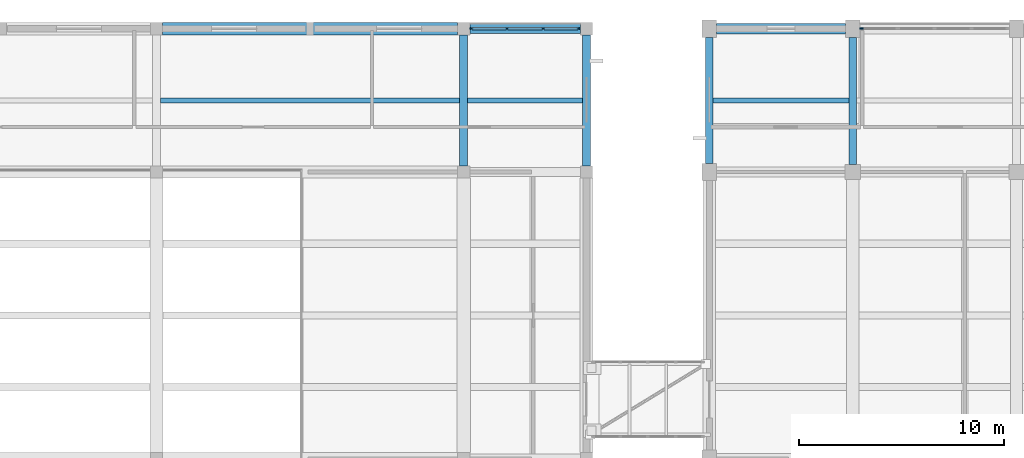
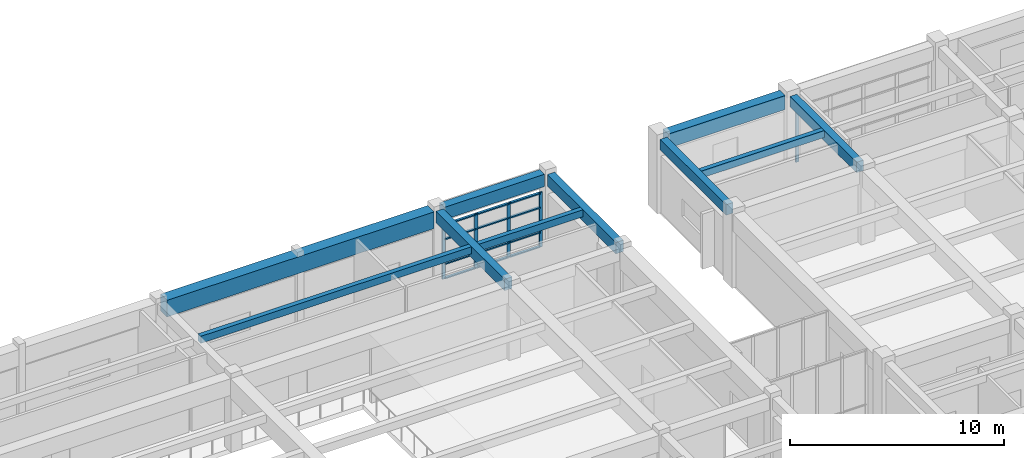
# One storey, part 30 of 72: 17 members, 10 beams, 2 elements without a shape of their own.
"""IFC4 building model written with IfcOpenShell, lengths in metres."""

from ifc_helpers import new_model, si_unit, direction, frame, origin, origin_2d, place, context, subcontext, project, spatial, rectangle, extrude, material, layer, layer_set, material_profile, profile_set, type_object, element, aggregate, save


model = new_model("IFC4")

# Units and contexts
model_context = context("Model", 3, precision=1e-05, world=origin(), true_north=direction((0.0, 1.0)))
body_context = subcontext(model_context, "Body", "Model", "MODEL_VIEW")
ifc_project = project(units=[si_unit("LENGTHUNIT", "METRE"), si_unit("AREAUNIT", "SQUARE_METRE"), si_unit("VOLUMEUNIT", "CUBIC_METRE"), si_unit("PLANEANGLEUNIT", "RADIAN"), si_unit("MASSUNIT", "GRAM", prefix="KILO")], contexts=[model_context])

# Site, building, storey
site_placement = place(None, origin())
site = spatial("IfcSite", under=ifc_project, at=site_placement, CompositionType="ELEMENT")
building_placement = place(site_placement, origin())
building = spatial("IfcBuilding", under=site, at=building_placement, Name="Naurynzar Civic Courthouse", CompositionType="ELEMENT")
storey_placement = place(building_placement, frame((0.0, 0.0, 9.89990234375)))
storey = spatial("IfcBuildingStorey", under=building, at=storey_placement, Name="L03", CompositionType="ELEMENT", Elevation=9.89990234375)

# Beams
ifc_material_1 = material(Name="Concrete C40/50", Category="concrete")
ifc_material_profile_1 = material_profile(ifc_material_1, rectangle(XDim=0.25, YDim=0.39990234375, at=origin_2d()), Name="RCB 250x400")
ifc_profile_set_1 = profile_set([ifc_material_profile_1], Name="Concrete C40/50")
beam_type_1 = type_object("IfcBeamType", Name="BM-JST-250x400", PredefinedType="JOIST", material=ifc_profile_set_1)
beam_1_placement = place(storey_placement, frame((35.199951171875, 68.5, 4.030029296875), z_axis=(1.0, 0.0, 0.0), x_axis=(0.0, 1.0, 0.0)))
element("IfcBeam", 1, at=beam_1_placement, inside=storey, type_object=beam_type_1, Name="V1 secondary rib 220 L03", PredefinedType="JOIST", context=body_context, shape_type="SweptSolid", body=[
    extrude(rectangle(XDim=0.25, YDim=0.39990234375, at=origin_2d()), origin(), (0.0, 0.0, 1.0), 14.60009765625),
])
beam_2_placement = place(storey_placement, frame((50.199951171875, 68.5, 4.030029296875), z_axis=(1.0, 0.0, 0.0), x_axis=(0.0, 1.0, 0.0)))
element("IfcBeam", 2, at=beam_2_placement, inside=storey, type_object=beam_type_1, Name="V1 secondary rib 221 L03", PredefinedType="JOIST", context=body_context, shape_type="SweptSolid", body=[
    extrude(rectangle(XDim=0.25, YDim=0.39990234375, at=origin_2d()), origin(), (0.0, 0.0, 1.0), 5.60009765625),
])
beam_3_placement = place(storey_placement, frame((62.1875, 68.5, 4.0), z_axis=(1.0, 0.0, 0.0), x_axis=(0.0, 1.0, 0.0)))
element("IfcBeam", 3, at=beam_3_placement, inside=storey, type_object=beam_type_1, Name="V2 secondary rib 648 L03", PredefinedType="JOIST", context=body_context, shape_type="SweptSolid", body=[
    extrude(rectangle(XDim=0.25, YDim=0.39990234375, at=origin_2d()), origin(), (0.0, 0.0, 1.0), 6.625),
])
ifc_material_2 = material(Name="Concrete C40/50", Category="concrete")
ifc_material_profile_2 = material_profile(ifc_material_2, rectangle(XDim=0.60009765625, YDim=0.949951171875, at=origin_2d()), Name="PTB 600x950")
ifc_profile_set_2 = profile_set([ifc_material_profile_2], Name="Concrete C40/50")
beam_type_2 = type_object("IfcBeamType", Name="BM-PT-600x950", PredefinedType="T_BEAM", material=ifc_profile_set_2)
beam_4_placement = place(storey_placement, frame((35.300048828125, 72.0, 3.755126953125), z_axis=(1.0, 0.0, 0.0), x_axis=(0.0, 1.0, 0.0)))
element("IfcBeam", 4, at=beam_4_placement, inside=storey, type_object=beam_type_2, Name="V1 beam X-183 L03", PredefinedType="T_BEAM", context=body_context, shape_type="SweptSolid", body=[
    extrude(rectangle(XDim=0.60009765625, YDim=0.949951171875, at=origin_2d()), origin(), (0.0, 0.0, 1.0), 14.39990234375),
])
ifc_material_3 = material(Name="Concrete C40/50", Category="concrete")
ifc_material_profile_3 = material_profile(ifc_material_3, rectangle(XDim=0.375, YDim=0.60009765625, at=origin_2d()), Name="RCB 375x600")
ifc_profile_set_3 = profile_set([ifc_material_profile_3], Name="Concrete C40/50")
beam_type_3 = type_object("IfcBeamType", Name="BM-RC-375x600", PredefinedType="BEAM", material=ifc_profile_set_3)
beam_5_placement = place(storey_placement, frame((62.0, 65.425048828125, 3.900146484375), z_axis=(0.0, 1.0, 0.0), x_axis=(-1.0, 0.0, 0.0)))
element("IfcBeam", 5, at=beam_5_placement, inside=storey, type_object=beam_type_3, Name="V2 girder Y-595 L03", PredefinedType="BEAM", context=body_context, shape_type="SweptSolid", body=[
    extrude(rectangle(XDim=0.375, YDim=0.60009765625, at=origin_2d()), origin(), (0.0, 0.0, 1.0), 6.14990234375),
])
beam_6_placement = place(storey_placement, frame((69.0, 65.375, 3.900146484375), z_axis=(0.0, 1.0, 0.0), x_axis=(-1.0, 0.0, 0.0)))
element("IfcBeam", 6, at=beam_6_placement, inside=storey, type_object=beam_type_3, Name="V2 girder Y-598 L03", PredefinedType="BEAM", context=body_context, shape_type="SweptSolid", body=[
    extrude(rectangle(XDim=0.375, YDim=0.60009765625, at=origin_2d()), origin(), (0.0, 0.0, 1.0), 6.199951171875),
])
ifc_material_4 = material(Name="Concrete C40/50", Category="concrete")
ifc_material_profile_4 = material_profile(ifc_material_4, rectangle(XDim=0.39990234375, YDim=0.64990234375, at=origin_2d()), Name="RCB 400x650")
ifc_profile_set_4 = profile_set([ifc_material_profile_4], Name="Concrete C40/50")
beam_type_4 = type_object("IfcBeamType", Name="BM-RC-400x650", PredefinedType="BEAM", material=ifc_profile_set_4)
for number, where, z_axis, x_axis, name in (
    (7, (50.0, 65.300048828125, 3.905029296875), (0.0, 1.0, 0.0), (-1.0, 0.0, 0.0), "V1 girder Y-199 L03"),
    (8, (56.0, 65.300048828125, 3.905029296875), (0.0, 1.0, 0.0), (-1.0, 0.0, 0.0), "V1 girder Y-202 L03"),
):
    element("IfcBeam", number, at=place(storey_placement, frame(where, z_axis=z_axis, x_axis=x_axis)), inside=storey, type_object=beam_type_4, Name=name, PredefinedType="BEAM", context=body_context, shape_type="SweptSolid", body=[
        extrude(rectangle(XDim=0.39990234375, YDim=0.64990234375, at=origin_2d()), origin(), (0.0, 0.0, 1.0), 6.39990234375),
    ])
ifc_material_5 = material(Name="Concrete C40/50", Category="concrete")
ifc_material_profile_5 = material_profile(ifc_material_5, rectangle(XDim=0.449951171875, YDim=0.699951171875, at=origin_2d()), Name="RCB 450x700")
ifc_profile_set_5 = profile_set([ifc_material_profile_5], Name="Concrete C40/50")
beam_type_5 = type_object("IfcBeamType", Name="BM-RC-450x700", PredefinedType="BEAM", material=ifc_profile_set_5)
beam_7_placement = place(storey_placement, frame((50.300048828125, 72.0, 3.880126953125), z_axis=(1.0, 0.0, 0.0), x_axis=(0.0, 1.0, 0.0)))
element("IfcBeam", 9, at=beam_7_placement, inside=storey, type_object=beam_type_5, Name="V1 beam X-184 L03", PredefinedType="BEAM", context=body_context, shape_type="SweptSolid", body=[
    extrude(rectangle(XDim=0.449951171875, YDim=0.699951171875, at=origin_2d()), origin(), (0.0, 0.0, 1.0), 5.39990234375),
])
ifc_material_6 = material(Name="Concrete C40/50", Category="concrete")
ifc_material_profile_6 = material_profile(ifc_material_6, rectangle(XDim=0.5, YDim=0.800048828125, at=origin_2d()), Name="RCB 500x800")
ifc_profile_set_6 = profile_set([ifc_material_profile_6], Name="Concrete C40/50")
beam_type_6 = type_object("IfcBeamType", Name="BM-RC-500x800", PredefinedType="BEAM", material=ifc_profile_set_6)
beam_8_placement = place(storey_placement, frame((62.35009765625, 72.0, 3.800048828125), z_axis=(1.0, 0.0, 0.0), x_axis=(0.0, 1.0, 0.0)))
element("IfcBeam", 10, at=beam_8_placement, inside=storey, type_object=beam_type_6, Name="V2 beam X-585 L03", PredefinedType="BEAM", context=body_context, shape_type="SweptSolid", body=[
    extrude(rectangle(XDim=0.5, YDim=0.800048828125, at=origin_2d()), origin(), (0.0, 0.0, 1.0), 6.2998046875),
])

# Curtain wall, members
ifc_material_7 = material(Name="Aluminium 6063-T6", Category="aluminium")
ifc_layer = layer(ifc_material_7, 0.159912109375)
ifc_layer_set = layer_set([ifc_layer], Name="CW-UNIT-1800")
curtain_wall_type = type_object("IfcCurtainWallType", Name="CW-UNIT-1800", PredefinedType="NOTDEFINED", material=ifc_layer_set)
curtain_wall_1_placement = place(storey_placement, origin())
curtain_wall_1 = element("IfcCurtainWall", 11, at=curtain_wall_1_placement, inside=storey, type_object=curtain_wall_type, Name="V1 unitised curtain wall 10 L03", PredefinedType="NOTDEFINED")
ifc_material_8 = material(Name="Aluminium 6063-T6", Category="aluminium")
ifc_material_profile_7 = material_profile(ifc_material_8, rectangle(XDim=0.070068359375, YDim=0.179931640625, at=origin_2d()), Name="ALU MULLION 70x180")
ifc_profile_set_7 = profile_set([ifc_material_profile_7], Name="Aluminium 6063-T6")
member_type_1 = type_object("IfcMemberType", Name="CWM-70x180", PredefinedType="MULLION", material=ifc_profile_set_7)
member_1_placement = place(storey_placement, frame((50.385009765625, 72.0, 0.0), z_axis=(0.0, 0.0, 1.0), x_axis=(0.0, 1.0, 0.0)))
member_1 = element("IfcMember", 12, at=member_1_placement, type_object=member_type_1, Name="CW-02 mullion 1", PredefinedType="MULLION", context=body_context, shape_type="SweptSolid", body=[
    extrude(rectangle(XDim=0.070068359375, YDim=0.179931640625, at=origin_2d()), origin(), (0.0, 0.0, 1.0), 3.110107421875),
])
member_2_placement = place(storey_placement, frame((52.11669921875, 72.0, 0.0), z_axis=(0.0, 0.0, 1.0), x_axis=(0.0, 1.0, 0.0)))
member_2 = element("IfcMember", 13, at=member_2_placement, type_object=member_type_1, Name="CW-02 mullion 2", PredefinedType="MULLION", context=body_context, shape_type="SweptSolid", body=[
    extrude(rectangle(XDim=0.070068359375, YDim=0.179931640625, at=origin_2d()), origin(), (0.0, 0.0, 1.0), 3.110107421875),
])
member_3_placement = place(storey_placement, frame((53.88330078125, 72.0, 0.0), z_axis=(0.0, 0.0, 1.0), x_axis=(0.0, 1.0, 0.0)))
member_3 = element("IfcMember", 14, at=member_3_placement, type_object=member_type_1, Name="CW-02 mullion 3", PredefinedType="MULLION", context=body_context, shape_type="SweptSolid", body=[
    extrude(rectangle(XDim=0.070068359375, YDim=0.179931640625, at=origin_2d()), origin(), (0.0, 0.0, 1.0), 3.110107421875),
])
member_4_placement = place(storey_placement, frame((55.614990234375, 72.0, 0.0), z_axis=(0.0, 0.0, 1.0), x_axis=(0.0, 1.0, 0.0)))
member_4 = element("IfcMember", 15, at=member_4_placement, type_object=member_type_1, Name="CW-02 mullion 4", PredefinedType="MULLION", context=body_context, shape_type="SweptSolid", body=[
    extrude(rectangle(XDim=0.070068359375, YDim=0.179931640625, at=origin_2d()), origin(), (0.0, 0.0, 1.0), 3.110107421875),
])

# Curtain wall, member
curtain_wall_2_placement = place(storey_placement, origin())
curtain_wall_2 = element("IfcCurtainWall", 16, at=curtain_wall_2_placement, inside=storey, type_object=curtain_wall_type, Name="V2 unitised curtain wall 24 L03", PredefinedType="NOTDEFINED")
member_5_placement = place(storey_placement, frame((69.43505859375, 72.0, 0.0), z_axis=(0.0, 0.0, 1.0), x_axis=(0.0, 1.0, 0.0)))
member_5 = element("IfcMember", 17, at=member_5_placement, type_object=member_type_1, Name="CW-02 mullion 1", PredefinedType="MULLION", context=body_context, shape_type="SweptSolid", body=[
    extrude(rectangle(XDim=0.070068359375, YDim=0.179931640625, at=origin_2d()), origin(), (0.0, 0.0, 1.0), 3.22998046875),
])
aggregate(curtain_wall_2, [member_5])

# Member
ifc_material_9 = material(Name="Aluminium 6063-T6", Category="aluminium")
ifc_material_profile_8 = material_profile(ifc_material_9, rectangle(XDim=0.1298828125, YDim=0.070068359375, at=origin_2d()), Name="ALU TRANSOM 70x130")
ifc_profile_set_8 = profile_set([ifc_material_profile_8], Name="Aluminium 6063-T6")
member_type_2 = type_object("IfcMemberType", Name="CWT-70x130", PredefinedType="USERDEFINED", material=ifc_profile_set_8)
member_6_placement = place(storey_placement, frame((50.419921875, 72.0, 0.03515625), z_axis=(1.0, 0.0, 0.0), x_axis=(0.0, 1.0, 0.0)))
member_6 = element("IfcMember", 18, at=member_6_placement, type_object=member_type_2, Name="CW-02 transom 1.1", ObjectType="TRANSOM", PredefinedType="USERDEFINED", context=body_context, shape_type="SweptSolid", body=[
    extrude(rectangle(XDim=0.1298828125, YDim=0.070068359375, at=origin_2d()), origin(), (0.0, 0.0, 1.0), 1.661865234375),
])

member_7_placement = place(storey_placement, frame((50.419921875, 72.0, 0.85009765625), z_axis=(1.0, 0.0, 0.0), x_axis=(0.0, 1.0, 0.0)))
member_7 = element("IfcMember", 19, at=member_7_placement, type_object=member_type_2, Name="CW-02 transom 1.2", ObjectType="TRANSOM", PredefinedType="USERDEFINED", context=body_context, shape_type="SweptSolid", body=[
    extrude(rectangle(XDim=0.1298828125, YDim=0.070068359375, at=origin_2d()), origin(), (0.0, 0.0, 1.0), 1.661865234375),
])

member_8_placement = place(storey_placement, frame((50.419921875, 72.0, 2.260009765625), z_axis=(1.0, 0.0, 0.0), x_axis=(0.0, 1.0, 0.0)))
member_8 = element("IfcMember", 20, at=member_8_placement, type_object=member_type_2, Name="CW-02 transom 1.3", ObjectType="TRANSOM", PredefinedType="USERDEFINED", context=body_context, shape_type="SweptSolid", body=[
    extrude(rectangle(XDim=0.1298828125, YDim=0.070068359375, at=origin_2d()), origin(), (0.0, 0.0, 1.0), 1.661865234375),
])

member_9_placement = place(storey_placement, frame((50.419921875, 72.0, 3.0751953125), z_axis=(1.0, 0.0, 0.0), x_axis=(0.0, 1.0, 0.0)))
member_9 = element("IfcMember", 21, at=member_9_placement, type_object=member_type_2, Name="CW-02 transom 1.4", ObjectType="TRANSOM", PredefinedType="USERDEFINED", context=body_context, shape_type="SweptSolid", body=[
    extrude(rectangle(XDim=0.1298828125, YDim=0.070068359375, at=origin_2d()), origin(), (0.0, 0.0, 1.0), 1.661865234375),
])

member_10_placement = place(storey_placement, frame((52.151611328125, 72.0, 0.03515625), z_axis=(1.0, 0.0, 0.0), x_axis=(0.0, 1.0, 0.0)))
member_10 = element("IfcMember", 22, at=member_10_placement, type_object=member_type_2, Name="CW-02 transom 2.1", ObjectType="TRANSOM", PredefinedType="USERDEFINED", context=body_context, shape_type="SweptSolid", body=[
    extrude(rectangle(XDim=0.1298828125, YDim=0.070068359375, at=origin_2d()), origin(), (0.0, 0.0, 1.0), 1.69677734375),
])

member_11_placement = place(storey_placement, frame((52.151611328125, 72.0, 0.85009765625), z_axis=(1.0, 0.0, 0.0), x_axis=(0.0, 1.0, 0.0)))
member_11 = element("IfcMember", 23, at=member_11_placement, type_object=member_type_2, Name="CW-02 transom 2.2", ObjectType="TRANSOM", PredefinedType="USERDEFINED", context=body_context, shape_type="SweptSolid", body=[
    extrude(rectangle(XDim=0.1298828125, YDim=0.070068359375, at=origin_2d()), origin(), (0.0, 0.0, 1.0), 1.69677734375),
])

member_12_placement = place(storey_placement, frame((52.151611328125, 72.0, 2.260009765625), z_axis=(1.0, 0.0, 0.0), x_axis=(0.0, 1.0, 0.0)))
member_12 = element("IfcMember", 24, at=member_12_placement, type_object=member_type_2, Name="CW-02 transom 2.3", ObjectType="TRANSOM", PredefinedType="USERDEFINED", context=body_context, shape_type="SweptSolid", body=[
    extrude(rectangle(XDim=0.1298828125, YDim=0.070068359375, at=origin_2d()), origin(), (0.0, 0.0, 1.0), 1.69677734375),
])

member_13_placement = place(storey_placement, frame((52.151611328125, 72.0, 3.0751953125), z_axis=(1.0, 0.0, 0.0), x_axis=(0.0, 1.0, 0.0)))
member_13 = element("IfcMember", 25, at=member_13_placement, type_object=member_type_2, Name="CW-02 transom 2.4", ObjectType="TRANSOM", PredefinedType="USERDEFINED", context=body_context, shape_type="SweptSolid", body=[
    extrude(rectangle(XDim=0.1298828125, YDim=0.070068359375, at=origin_2d()), origin(), (0.0, 0.0, 1.0), 1.69677734375),
])

member_14_placement = place(storey_placement, frame((53.918212890625, 72.0, 0.03515625), z_axis=(1.0, 0.0, 0.0), x_axis=(0.0, 1.0, 0.0)))
member_14 = element("IfcMember", 26, at=member_14_placement, type_object=member_type_2, Name="CW-02 transom 3.1", ObjectType="TRANSOM", PredefinedType="USERDEFINED", context=body_context, shape_type="SweptSolid", body=[
    extrude(rectangle(XDim=0.1298828125, YDim=0.070068359375, at=origin_2d()), origin(), (0.0, 0.0, 1.0), 1.661865234375),
])

member_15_placement = place(storey_placement, frame((53.918212890625, 72.0, 0.85009765625), z_axis=(1.0, 0.0, 0.0), x_axis=(0.0, 1.0, 0.0)))
member_15 = element("IfcMember", 27, at=member_15_placement, type_object=member_type_2, Name="CW-02 transom 3.2", ObjectType="TRANSOM", PredefinedType="USERDEFINED", context=body_context, shape_type="SweptSolid", body=[
    extrude(rectangle(XDim=0.1298828125, YDim=0.070068359375, at=origin_2d()), origin(), (0.0, 0.0, 1.0), 1.661865234375),
])

member_16_placement = place(storey_placement, frame((53.918212890625, 72.0, 2.260009765625), z_axis=(1.0, 0.0, 0.0), x_axis=(0.0, 1.0, 0.0)))
member_16 = element("IfcMember", 28, at=member_16_placement, type_object=member_type_2, Name="CW-02 transom 3.3", ObjectType="TRANSOM", PredefinedType="USERDEFINED", context=body_context, shape_type="SweptSolid", body=[
    extrude(rectangle(XDim=0.1298828125, YDim=0.070068359375, at=origin_2d()), origin(), (0.0, 0.0, 1.0), 1.661865234375),
])

member_17_placement = place(storey_placement, frame((53.918212890625, 72.0, 3.0751953125), z_axis=(1.0, 0.0, 0.0), x_axis=(0.0, 1.0, 0.0)))
member_17 = element("IfcMember", 29, at=member_17_placement, type_object=member_type_2, Name="CW-02 transom 3.4", ObjectType="TRANSOM", PredefinedType="USERDEFINED", context=body_context, shape_type="SweptSolid", body=[
    extrude(rectangle(XDim=0.1298828125, YDim=0.070068359375, at=origin_2d()), origin(), (0.0, 0.0, 1.0), 1.661865234375),
])

aggregate(curtain_wall_1, [member_1, member_2, member_3, member_4, member_6, member_7, member_8, member_9, member_10, member_11, member_12, member_13, member_14, member_15, member_16, member_17])

save(model, "model.ifc")
